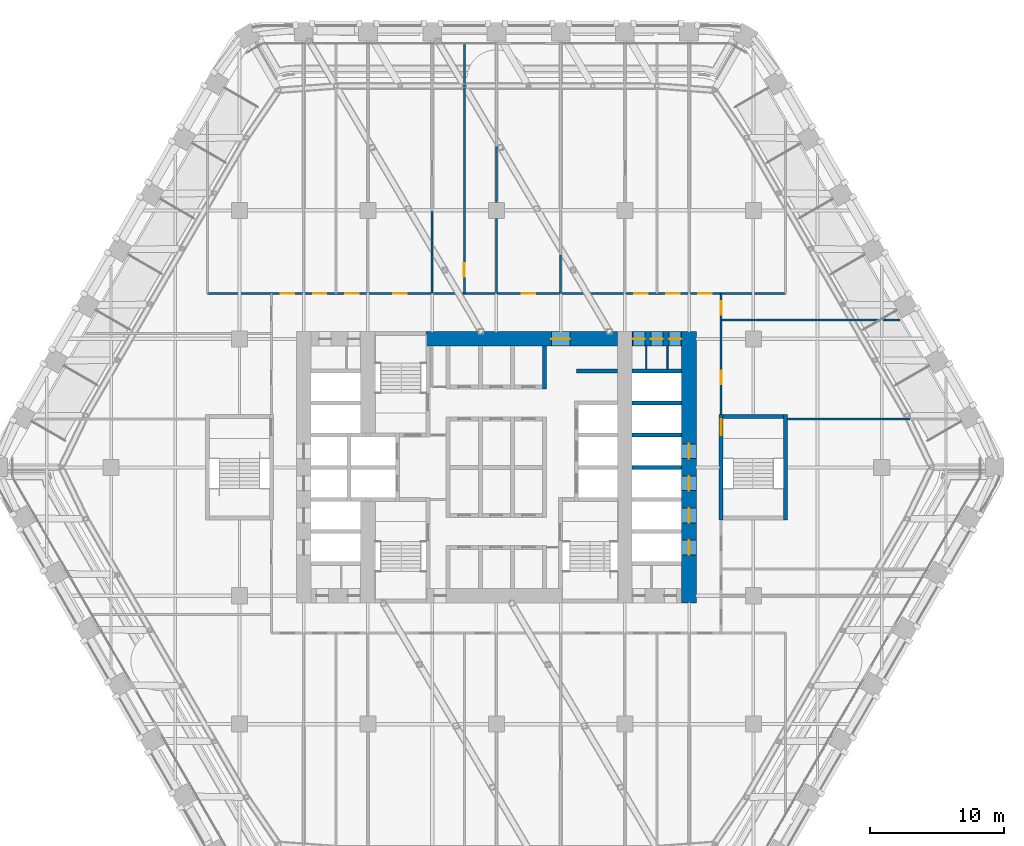
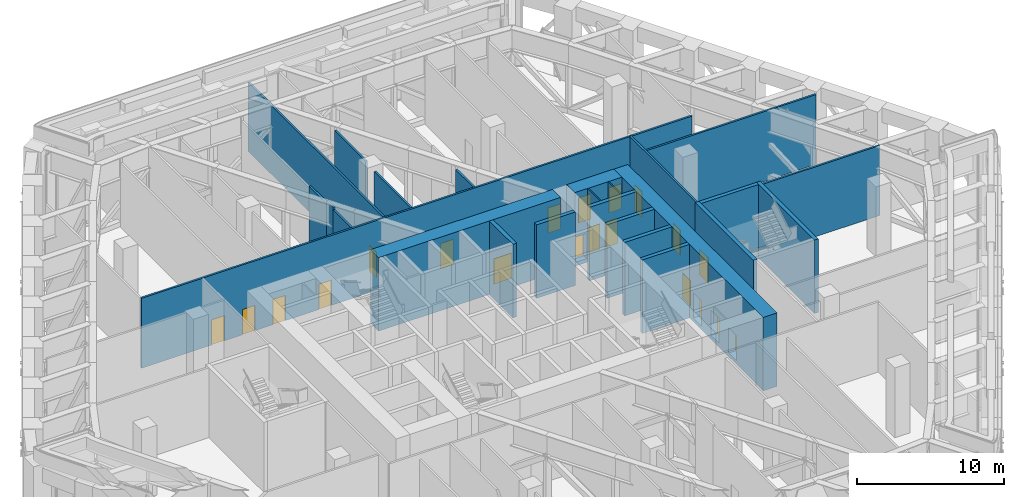
# One storey, part 22 of 35: 25 walls, 20 doors, 20 openings.
"""IFC4 building model written with IfcOpenShell, lengths in metres."""

from ifc_helpers import new_model, si_unit, direction, frame, frame_2d, origin, place, context, subcontext, project, spatial, rectangle, extrude, material, layer, layer_set, type_object, element, fill, save


model = new_model("IFC4")

# Units and contexts
model_context = context("Model", 3, precision=1e-05, world=origin(), true_north=direction((0.0, 1.0)))
body_context = subcontext(model_context, "Body", "Model", "MODEL_VIEW")
ifc_project = project(units=[si_unit("LENGTHUNIT", "METRE"), si_unit("AREAUNIT", "SQUARE_METRE"), si_unit("VOLUMEUNIT", "CUBIC_METRE"), si_unit("PLANEANGLEUNIT", "RADIAN"), si_unit("MASSUNIT", "GRAM", prefix="KILO")], contexts=[model_context])

# Site, building, storey
site_placement = place(None, origin())
site = spatial("IfcSite", under=ifc_project, at=site_placement, CompositionType="ELEMENT")
building_placement = place(site_placement, origin())
building = spatial("IfcBuilding", under=site, at=building_placement, Name="Kolab Exchange Tower", CompositionType="ELEMENT")
storey_placement = place(building_placement, frame((0.0, 0.0, 71.89990234375)))
storey = spatial("IfcBuildingStorey", under=building, at=storey_placement, Name="L13", CompositionType="ELEMENT", Elevation=71.89990234375)

# Wall, opening, door
ifc_material_1 = material(Name="Concrete C80/95", Category="concrete")
ifc_layer_1 = layer(ifc_material_1, 1.10009765625)
ifc_layer_set_1 = layer_set([ifc_layer_1], Name="Concrete C80/95")
wall_type_1 = type_object("IfcWallType", Name="CORE WALL 1100 C80/95", PredefinedType="SHEAR", material=ifc_layer_set_1)
wall_1_placement = place(storey_placement, frame((-5.25, 9.60009765625, -0.2998046875), z_axis=(0.0, 0.0, 1.0), x_axis=(1.0, 0.0, 0.0)))
wall_1 = element("IfcWall", 1, at=wall_1_placement, inside=storey, type_object=wall_type_1, Name="wall/L13/core/052", PredefinedType="SHEAR", context=body_context, shape_type="SweptSolid", body=[
    extrude(rectangle(XDim=14.300048828125, YDim=1.10009765625, at=frame_2d((7.14990234375, 0.0))), origin(), (0.0, 0.0, 1.0), 6.099853515625),
])
opening_1_placement = place(wall_1_placement, frame((9.35009765625, 0.0, 0.300048828125)))
opening_1 = element("IfcOpeningElement", 2, at=opening_1_placement, cuts=wall_1, Name="Opening D5-007", PredefinedType="OPENING", context=body_context, shape_type="SweptSolid", body=[
    extrude(rectangle(XDim=1.39990234375, YDim=2.10009765625, at=frame_2d((0.699951171875, 1.050048828125))), frame((0.0, 0.56005859375, 0.0), z_axis=(0.0, -1.0, 0.0), x_axis=(1.0, 0.0, 0.0)), (0.0, 0.0, 1.0), 1.1201171875),
])
ifc_material_2 = material(Name="Steel S235", Category="steel")
door_type_1 = type_object("IfcDoorType", Name="CORE DOOR 1400 EI 120", OperationType="DOUBLE_DOOR_SINGLE_SWING", PredefinedType="DOOR", material=ifc_material_2)
door_1_placement = place(opening_1_placement, frame((1.39990234375, 0.0, 0.0), z_axis=(0.0, 0.0, 1.0), x_axis=(-1.0, 0.0, 0.0)))
door_1 = element("IfcDoor", 3, at=door_1_placement, inside=storey, type_object=door_type_1, Name="Core lobby door", OperationType="SINGLE_SWING_LEFT", OverallHeight=2.10009765625, OverallWidth=1.39990234375, PredefinedType="DOOR", context=body_context, shape_type="SweptSolid", body=[
    extrude(rectangle(XDim=1.39990234375, YDim=2.10009765625, at=frame_2d((0.699951171875, 1.050048828125))), frame((0.0, 0.02490234375, 0.0), z_axis=(0.0, -1.0, 0.0), x_axis=(1.0, 0.0, 0.0)), (0.0, 0.0, 1.0), 0.050048828125),
])
fill(opening_1, door_1)

# Wall, openings, doors
wall_2_placement = place(storey_placement, frame((10.14990234375, 9.60009765625, -0.2998046875), z_axis=(0.0, 0.0, 1.0), x_axis=(1.0, 0.0, 0.0)))
wall_2 = element("IfcWall", 4, at=wall_2_placement, inside=storey, type_object=wall_type_1, Name="wall/L13/core/053", PredefinedType="SHEAR", context=body_context, shape_type="SweptSolid", body=[
    extrude(rectangle(XDim=3.7001953125, YDim=1.10009765625, at=frame_2d((1.85009765625, 0.0))), origin(), (0.0, 0.0, 1.0), 6.099853515625),
])
opening_2_placement = place(wall_2_placement, frame((0.050048828125, 0.0, 0.300048828125)))
opening_2 = element("IfcOpeningElement", 5, at=opening_2_placement, cuts=wall_2, Name="Opening D6-188", PredefinedType="OPENING", context=body_context, shape_type="SweptSolid", body=[
    extrude(rectangle(XDim=0.89990234375, YDim=2.10009765625, at=frame_2d((0.449951171875, 1.050048828125))), frame((0.0, 0.56005859375, 0.0), z_axis=(0.0, -1.0, 0.0), x_axis=(1.0, 0.0, 0.0)), (0.0, 0.0, 1.0), 1.1201171875),
])
opening_3_placement = place(wall_2_placement, frame((1.39990234375, 0.0, 0.300048828125)))
opening_3 = element("IfcOpeningElement", 6, at=opening_3_placement, cuts=wall_2, Name="Opening D6-189", PredefinedType="OPENING", context=body_context, shape_type="SweptSolid", body=[
    extrude(rectangle(XDim=0.89990234375, YDim=2.10009765625, at=frame_2d((0.449951171875, 1.050048828125))), frame((0.0, 0.56005859375, 0.0), z_axis=(0.0, -1.0, 0.0), x_axis=(1.0, 0.0, 0.0)), (0.0, 0.0, 1.0), 1.1201171875),
])
opening_4_placement = place(wall_2_placement, frame((2.75, 0.0, 0.300048828125)))
opening_4 = element("IfcOpeningElement", 7, at=opening_4_placement, cuts=wall_2, Name="Opening D6-190", PredefinedType="OPENING", context=body_context, shape_type="SweptSolid", body=[
    extrude(rectangle(XDim=0.89990234375, YDim=2.10009765625, at=frame_2d((0.449951171875, 1.050048828125))), frame((0.0, 0.56005859375, 0.0), z_axis=(0.0, -1.0, 0.0), x_axis=(1.0, 0.0, 0.0)), (0.0, 0.0, 1.0), 1.1201171875),
])
door_type_2 = type_object("IfcDoorType", Name="CORE DOOR 900 EI 120", OperationType="SINGLE_SWING_LEFT", PredefinedType="DOOR", material=ifc_material_2)
door_2_placement = place(opening_2_placement, frame((0.89990234375, 0.0, 0.0), z_axis=(0.0, 0.0, 1.0), x_axis=(-1.0, 0.0, 0.0)))
door_2 = element("IfcDoor", 8, at=door_2_placement, inside=storey, type_object=door_type_2, Name="Service room door", OperationType="SINGLE_SWING_RIGHT", OverallHeight=2.10009765625, OverallWidth=0.89990234375, PredefinedType="DOOR", context=body_context, shape_type="SweptSolid", body=[
    extrude(rectangle(XDim=0.89990234375, YDim=2.10009765625, at=frame_2d((0.449951171875, 1.050048828125))), frame((0.0, 0.02490234375, 0.0), z_axis=(0.0, -1.0, 0.0), x_axis=(1.0, 0.0, 0.0)), (0.0, 0.0, 1.0), 0.050048828125),
])
fill(opening_2, door_2)
door_3_placement = place(opening_3_placement, frame((0.89990234375, 0.0, 0.0), z_axis=(0.0, 0.0, 1.0), x_axis=(-1.0, 0.0, 0.0)))
door_3 = element("IfcDoor", 9, at=door_3_placement, inside=storey, type_object=door_type_2, Name="Service room door", OperationType="SINGLE_SWING_LEFT", OverallHeight=2.10009765625, OverallWidth=0.89990234375, PredefinedType="DOOR", context=body_context, shape_type="SweptSolid", body=[
    extrude(rectangle(XDim=0.89990234375, YDim=2.10009765625, at=frame_2d((0.449951171875, 1.050048828125))), frame((0.0, 0.02490234375, 0.0), z_axis=(0.0, -1.0, 0.0), x_axis=(1.0, 0.0, 0.0)), (0.0, 0.0, 1.0), 0.050048828125),
])
fill(opening_3, door_3)
door_4_placement = place(opening_4_placement, frame((0.89990234375, 0.0, 0.0), z_axis=(0.0, 0.0, 1.0), x_axis=(-1.0, 0.0, 0.0)))
door_4 = element("IfcDoor", 10, at=door_4_placement, inside=storey, type_object=door_type_2, Name="Service room door", OperationType="SINGLE_SWING_LEFT", OverallHeight=2.10009765625, OverallWidth=0.89990234375, PredefinedType="DOOR", context=body_context, shape_type="SweptSolid", body=[
    extrude(rectangle(XDim=0.89990234375, YDim=2.10009765625, at=frame_2d((0.449951171875, 1.050048828125))), frame((0.0, 0.02490234375, 0.0), z_axis=(0.0, -1.0, 0.0), x_axis=(1.0, 0.0, 0.0)), (0.0, 0.0, 1.0), 0.050048828125),
])
fill(opening_4, door_4)

wall_3_placement = place(storey_placement, frame((14.39990234375, -10.14990234375, -0.2998046875), z_axis=(0.0, 0.0, 1.0), x_axis=(0.0, 1.0, 0.0)))
wall_3 = element("IfcWall", 11, at=wall_3_placement, inside=storey, type_object=wall_type_1, Name="wall/L13/core/081", PredefinedType="SHEAR", context=body_context, shape_type="SweptSolid", body=[
    extrude(rectangle(XDim=20.2998046875, YDim=1.10009765625, at=frame_2d((10.14990234375, 0.0))), origin(), (0.0, 0.0, 1.0), 6.099853515625),
])
opening_5_placement = place(wall_3_placement, frame((3.60009765625, 0.0, 0.300048828125)))
opening_5 = element("IfcOpeningElement", 12, at=opening_5_placement, cuts=wall_3, Name="Opening LD1-061", PredefinedType="OPENING", context=body_context, shape_type="SweptSolid", body=[
    extrude(rectangle(XDim=1.10009765625, YDim=2.10009765625, at=frame_2d((0.550048828125, 1.050048828125))), frame((0.0, 0.56005859375, 0.0), z_axis=(0.0, -1.0, 0.0), x_axis=(1.0, 0.0, 0.0)), (0.0, 0.0, 1.0), 1.1201171875),
])
opening_6_placement = place(wall_3_placement, frame((6.0, 0.0, 0.300048828125)))
opening_6 = element("IfcOpeningElement", 13, at=opening_6_placement, cuts=wall_3, Name="Opening LD1-062", PredefinedType="OPENING", context=body_context, shape_type="SweptSolid", body=[
    extrude(rectangle(XDim=1.10009765625, YDim=2.10009765625, at=frame_2d((0.550048828125, 1.050048828125))), frame((0.0, 0.56005859375, 0.0), z_axis=(0.0, -1.0, 0.0), x_axis=(1.0, 0.0, 0.0)), (0.0, 0.0, 1.0), 1.1201171875),
])
opening_7_placement = place(wall_3_placement, frame((8.39990234375, 0.0, 0.300048828125)))
opening_7 = element("IfcOpeningElement", 14, at=opening_7_placement, cuts=wall_3, Name="Opening LD1-063", PredefinedType="OPENING", context=body_context, shape_type="SweptSolid", body=[
    extrude(rectangle(XDim=1.10009765625, YDim=2.10009765625, at=frame_2d((0.550048828125, 1.050048828125))), frame((0.0, 0.56005859375, 0.0), z_axis=(0.0, -1.0, 0.0), x_axis=(1.0, 0.0, 0.0)), (0.0, 0.0, 1.0), 1.1201171875),
])
opening_8_placement = place(wall_3_placement, frame((10.800048828125, 0.0, 0.300048828125)))
opening_8 = element("IfcOpeningElement", 15, at=opening_8_placement, cuts=wall_3, Name="Opening LD1-064", PredefinedType="OPENING", context=body_context, shape_type="SweptSolid", body=[
    extrude(rectangle(XDim=1.10009765625, YDim=2.10009765625, at=frame_2d((0.550048828125, 1.050048828125))), frame((0.0, 0.56005859375, 0.0), z_axis=(0.0, -1.0, 0.0), x_axis=(1.0, 0.0, 0.0)), (0.0, 0.0, 1.0), 1.1201171875),
])
ifc_material_3 = material(Name="Stainless steel 316", Category="steel")
door_type_3 = type_object("IfcDoorType", Name="LANDING DOOR 1100 PASSENGER", OperationType="DOUBLE_DOOR_SLIDING", PredefinedType="DOOR", material=ifc_material_3)
door_5_placement = place(opening_5_placement, origin())
door_5 = element("IfcDoor", 16, at=door_5_placement, inside=storey, type_object=door_type_3, Name="Landing door LR1", OperationType="DOUBLE_DOOR_SLIDING", OverallHeight=2.10009765625, OverallWidth=1.10009765625, PredefinedType="DOOR", context=body_context, shape_type="SweptSolid", body=[
    extrude(rectangle(XDim=1.10009765625, YDim=2.10009765625, at=frame_2d((0.550048828125, 1.050048828125))), frame((0.0, 0.02490234375, 0.0), z_axis=(0.0, -1.0, 0.0), x_axis=(1.0, 0.0, 0.0)), (0.0, 0.0, 1.0), 0.050048828125),
])
fill(opening_5, door_5)
door_6_placement = place(opening_6_placement, origin())
door_6 = element("IfcDoor", 17, at=door_6_placement, inside=storey, type_object=door_type_3, Name="Landing door LR2", OperationType="DOUBLE_DOOR_SLIDING", OverallHeight=2.10009765625, OverallWidth=1.10009765625, PredefinedType="DOOR", context=body_context, shape_type="SweptSolid", body=[
    extrude(rectangle(XDim=1.10009765625, YDim=2.10009765625, at=frame_2d((0.550048828125, 1.050048828125))), frame((0.0, 0.02490234375, 0.0), z_axis=(0.0, -1.0, 0.0), x_axis=(1.0, 0.0, 0.0)), (0.0, 0.0, 1.0), 0.050048828125),
])
fill(opening_6, door_6)
door_7_placement = place(opening_7_placement, origin())
door_7 = element("IfcDoor", 18, at=door_7_placement, inside=storey, type_object=door_type_3, Name="Landing door LR3", OperationType="DOUBLE_DOOR_SLIDING", OverallHeight=2.10009765625, OverallWidth=1.10009765625, PredefinedType="DOOR", context=body_context, shape_type="SweptSolid", body=[
    extrude(rectangle(XDim=1.10009765625, YDim=2.10009765625, at=frame_2d((0.550048828125, 1.050048828125))), frame((0.0, 0.02490234375, 0.0), z_axis=(0.0, -1.0, 0.0), x_axis=(1.0, 0.0, 0.0)), (0.0, 0.0, 1.0), 0.050048828125),
])
fill(opening_7, door_7)
door_8_placement = place(opening_8_placement, origin())
door_8 = element("IfcDoor", 19, at=door_8_placement, inside=storey, type_object=door_type_3, Name="Landing door LR4", OperationType="DOUBLE_DOOR_SLIDING", OverallHeight=2.10009765625, OverallWidth=1.10009765625, PredefinedType="DOOR", context=body_context, shape_type="SweptSolid", body=[
    extrude(rectangle(XDim=1.10009765625, YDim=2.10009765625, at=frame_2d((0.550048828125, 1.050048828125))), frame((0.0, 0.02490234375, 0.0), z_axis=(0.0, -1.0, 0.0), x_axis=(1.0, 0.0, 0.0)), (0.0, 0.0, 1.0), 0.050048828125),
])
fill(opening_8, door_8)

# Walls
ifc_material_4 = material(Name="Concrete C50/60", Category="concrete")
ifc_layer_2 = layer(ifc_material_4, 0.300048828125)
ifc_layer_set_2 = layer_set([ifc_layer_2], Name="Concrete C50/60")
wall_type_2 = type_object("IfcWallType", Name="LIFT SHAFT WALL 300 C50/60", PredefinedType="STANDARD", material=ifc_layer_set_2)
for number, where, z_axis, x_axis, name in (
    (20, (10.14990234375, 0.0, -0.2998046875), (0.0, 0.0, 1.0), (1.0, 0.0, 0.0), "wall/L13/core/030"),
    (21, (10.14990234375, 2.39990234375, -0.2998046875), (0.0, 0.0, 1.0), (1.0, 0.0, 0.0), "wall/L13/core/036"),
    (22, (10.14990234375, 4.800048828125, -0.2998046875), (0.0, 0.0, 1.0), (1.0, 0.0, 0.0), "wall/L13/core/044"),
):
    element("IfcWall", number, at=place(storey_placement, frame(where, z_axis=z_axis, x_axis=x_axis)), inside=storey, type_object=wall_type_2, Name=name, PredefinedType="STANDARD", context=body_context, shape_type="SweptSolid", body=[
        extrude(rectangle(XDim=3.7001953125, YDim=0.300048828125, at=frame_2d((1.85009765625, 0.0))), origin(), (0.0, 0.0, 1.0), 6.099853515625),
    ])
wall_4_placement = place(storey_placement, frame((6.0, 7.199951171875, -0.2998046875), z_axis=(0.0, 0.0, 1.0), x_axis=(1.0, 0.0, 0.0)))
element("IfcWall", 23, at=wall_4_placement, inside=storey, type_object=wall_type_2, Name="wall/L13/core/049", PredefinedType="STANDARD", context=body_context, shape_type="SweptSolid", body=[
    extrude(rectangle(XDim=3.050048828125, YDim=0.300048828125, at=frame_2d((1.52490234375, 0.0))), origin(), (0.0, 0.0, 1.0), 6.099853515625),
])
wall_5_placement = place(storey_placement, frame((10.14990234375, 7.199951171875, -0.2998046875), z_axis=(0.0, 0.0, 1.0), x_axis=(1.0, 0.0, 0.0)))
element("IfcWall", 24, at=wall_5_placement, inside=storey, type_object=wall_type_2, Name="wall/L13/core/050", PredefinedType="STANDARD", context=body_context, shape_type="SweptSolid", body=[
    extrude(rectangle(XDim=3.7001953125, YDim=0.300048828125, at=frame_2d((1.85009765625, 0.0))), origin(), (0.0, 0.0, 1.0), 6.099853515625),
])
wall_6_placement = place(storey_placement, frame((3.60009765625, 5.85009765625, -0.2998046875), z_axis=(0.0, 0.0, 1.0), x_axis=(0.0, 1.0, 0.0)))
element("IfcWall", 25, at=wall_6_placement, inside=storey, type_object=wall_type_2, Name="wall/L13/core/077", PredefinedType="STANDARD", context=body_context, shape_type="SweptSolid", body=[
    extrude(rectangle(XDim=3.199951171875, YDim=0.300048828125, at=frame_2d((1.60009765625, 0.0))), origin(), (0.0, 0.0, 1.0), 6.099853515625),
])
ifc_material_5 = material(Name="Gypsum board", Category="gypsum")
ifc_layer_3 = layer(ifc_material_5, 0.10009765625)
ifc_layer_set_3 = layer_set([ifc_layer_3], Name="Gypsum board")
wall_type_3 = type_object("IfcWallType", Name="PARTITION 100", PredefinedType="PARTITIONING", material=ifc_layer_set_3)
for number, where, z_axis, x_axis, name in (
    (26, (12.800048828125, 7.35009765625, 0.0), (0.0, 0.0, 1.0), (0.0, 1.0, 0.0), "Partition 006"),
    (27, (11.199951171875, 7.35009765625, 0.0), (0.0, 0.0, 1.0), (0.0, 1.0, 0.0), "Partition 010"),
):
    element("IfcWall", number, at=place(storey_placement, frame(where, z_axis=z_axis, x_axis=x_axis)), inside=storey, type_object=wall_type_3, Name=name, PredefinedType="PARTITIONING", context=body_context, shape_type="SweptSolid", body=[
        extrude(rectangle(XDim=1.699951171875, YDim=0.10009765625, at=frame_2d((0.85009765625, 0.0))), origin(), (0.0, 0.0, 1.0), 5.800048828125),
    ])

# Wall, openings, doors
ifc_layer_4 = layer(ifc_material_5, 0.14990234375)
ifc_layer_set_4 = layer_set([ifc_layer_4], Name="Gypsum board")
wall_type_4 = type_object("IfcWallType", Name="PARTITION 150 FIRE-RATED", PredefinedType="PARTITIONING", material=ifc_layer_set_4)
wall_7_placement = place(storey_placement, frame((16.800048828125, 3.949951171875, 0.0), z_axis=(0.0, 0.0, 1.0), x_axis=(0.0, 1.0, 0.0)))
wall_7 = element("IfcWall", 28, at=wall_7_placement, inside=storey, type_object=wall_type_4, Name="Partition 003", PredefinedType="PARTITIONING", context=body_context, shape_type="SweptSolid", body=[
    extrude(rectangle(XDim=9.050048828125, YDim=0.14990234375, at=frame_2d((4.52490234375, 0.0))), origin(), (0.0, 0.0, 1.0), 5.800048828125),
])
opening_9_placement = place(wall_7_placement, frame((2.25, 0.0, 0.0)))
opening_9 = element("IfcOpeningElement", 29, at=opening_9_placement, cuts=wall_7, Name="Opening D1-195", PredefinedType="OPENING", context=body_context, shape_type="SweptSolid", body=[
    extrude(rectangle(XDim=1.0, YDim=2.10009765625, at=frame_2d((0.5, 1.050048828125))), frame((0.0, 0.0849609375, 0.0), z_axis=(0.0, -1.0, 0.0), x_axis=(1.0, 0.0, 0.0)), (0.0, 0.0, 1.0), 0.169921875),
])
opening_10_placement = place(wall_7_placement, frame((7.449951171875, 0.0, 0.0)))
opening_10 = element("IfcOpeningElement", 30, at=opening_10_placement, cuts=wall_7, Name="Opening D1-196", PredefinedType="OPENING", context=body_context, shape_type="SweptSolid", body=[
    extrude(rectangle(XDim=1.0, YDim=2.10009765625, at=frame_2d((0.5, 1.050048828125))), frame((0.0, 0.0849609375, 0.0), z_axis=(0.0, -1.0, 0.0), x_axis=(1.0, 0.0, 0.0)), (0.0, 0.0, 1.0), 0.169921875),
])
door_type_4 = type_object("IfcDoorType", Name="FLUSH DOOR 1000 FD60", OperationType="SINGLE_SWING_LEFT", PredefinedType="DOOR", material=ifc_material_2)
door_9_placement = place(opening_9_placement, frame((1.0, 0.0, 0.0), z_axis=(0.0, 0.0, 1.0), x_axis=(-1.0, 0.0, 0.0)))
door_9 = element("IfcDoor", 31, at=door_9_placement, inside=storey, type_object=door_type_4, Name="Door L13-074", OperationType="SINGLE_SWING_LEFT", OverallHeight=2.10009765625, OverallWidth=1.0, PredefinedType="DOOR", context=body_context, shape_type="SweptSolid", body=[
    extrude(rectangle(XDim=1.0, YDim=2.10009765625, at=frame_2d((0.5, 1.050048828125))), frame((0.0, 0.02490234375, 0.0), z_axis=(0.0, -1.0, 0.0), x_axis=(1.0, 0.0, 0.0)), (0.0, 0.0, 1.0), 0.050048828125),
])
fill(opening_9, door_9)
door_10_placement = place(opening_10_placement, frame((1.0, 0.0, 0.0), z_axis=(0.0, 0.0, 1.0), x_axis=(-1.0, 0.0, 0.0)))
door_10 = element("IfcDoor", 32, at=door_10_placement, inside=storey, type_object=door_type_4, Name="Door L13-075", OperationType="SINGLE_SWING_LEFT", OverallHeight=2.10009765625, OverallWidth=1.0, PredefinedType="DOOR", context=body_context, shape_type="SweptSolid", body=[
    extrude(rectangle(XDim=1.0, YDim=2.10009765625, at=frame_2d((0.5, 1.050048828125))), frame((0.0, 0.02490234375, 0.0), z_axis=(0.0, -1.0, 0.0), x_axis=(1.0, 0.0, 0.0)), (0.0, 0.0, 1.0), 0.050048828125),
])
fill(opening_10, door_10)

# Walls
wall_8_placement = place(storey_placement, frame((4.800048828125, 13.0, 0.0), z_axis=(0.0, 0.0, 1.0), x_axis=(0.0, 1.0, 0.0)))
element("IfcWall", 33, at=wall_8_placement, inside=storey, type_object=wall_type_4, Name="Partition 016", PredefinedType="PARTITIONING", context=body_context, shape_type="SweptSolid", body=[
    extrude(rectangle(XDim=2.876708984375, YDim=0.14990234375, at=frame_2d((1.4384765625, 0.0))), origin(), (0.0, 0.0, 1.0), 5.489990234375),
])
wall_9_placement = place(storey_placement, frame((0.0, 13.0, 0.0), z_axis=(0.0, 0.0, 1.0), x_axis=(0.0, 1.0, 0.0)))
element("IfcWall", 34, at=wall_9_placement, inside=storey, type_object=wall_type_4, Name="Partition 019", PredefinedType="PARTITIONING", context=body_context, shape_type="SweptSolid", body=[
    extrude(rectangle(XDim=5.60009765625, YDim=0.14990234375, at=frame_2d((2.800048828125, 0.0))), origin(), (0.0, 0.0, 1.0), 5.343017578125),
])
wall_10_placement = place(storey_placement, frame((0.0, 19.800048828125, 0.0), z_axis=(0.0, 0.0, 1.0), x_axis=(0.0, 1.0, 0.0)))
element("IfcWall", 35, at=wall_10_placement, inside=storey, type_object=wall_type_4, Name="Partition 020", PredefinedType="PARTITIONING", context=body_context, shape_type="SweptSolid", body=[
    extrude(rectangle(XDim=4.1904296875, YDim=0.14990234375, at=frame_2d((2.09521484375, 0.0))), origin(), (0.0, 0.0, 1.0), 5.489990234375),
])

# Wall, opening, door
wall_11_placement = place(storey_placement, frame((-2.39990234375, 13.0, 0.0), z_axis=(0.0, 0.0, 1.0), x_axis=(0.0, 1.0, 0.0)))
wall_11 = element("IfcWall", 36, at=wall_11_placement, inside=storey, type_object=wall_type_4, Name="Partition 022", PredefinedType="PARTITIONING", context=body_context, shape_type="SweptSolid", body=[
    extrude(rectangle(XDim=18.58544921875, YDim=0.14990234375, at=frame_2d((9.292724609375, 0.0))), origin(), (0.0, 0.0, 1.0), 5.7001953125),
])
opening_11_placement = place(wall_11_placement, frame((1.247802734375, 0.0, 0.0)))
opening_11 = element("IfcOpeningElement", 37, at=opening_11_placement, cuts=wall_11, Name="Opening D1-176", PredefinedType="OPENING", context=body_context, shape_type="SweptSolid", body=[
    extrude(rectangle(XDim=1.0, YDim=2.10009765625, at=frame_2d((0.5, 1.050048828125))), frame((0.0, 0.0849609375, 0.0), z_axis=(0.0, -1.0, 0.0), x_axis=(1.0, 0.0, 0.0)), (0.0, 0.0, 1.0), 0.169921875),
])
door_11_placement = place(opening_11_placement, frame((1.0, 0.0, 0.0), z_axis=(0.0, 0.0, 1.0), x_axis=(-1.0, 0.0, 0.0)))
door_11 = element("IfcDoor", 38, at=door_11_placement, inside=storey, type_object=door_type_4, Name="Door L13-055", OperationType="SINGLE_SWING_LEFT", OverallHeight=2.10009765625, OverallWidth=1.0, PredefinedType="DOOR", context=body_context, shape_type="SweptSolid", body=[
    extrude(rectangle(XDim=1.0, YDim=2.10009765625, at=frame_2d((0.5, 1.050048828125))), frame((0.0, 0.02490234375, 0.0), z_axis=(0.0, -1.0, 0.0), x_axis=(1.0, 0.0, 0.0)), (0.0, 0.0, 1.0), 0.050048828125),
])
fill(opening_11, door_11)

# Walls
wall_12_placement = place(storey_placement, frame((-4.800048828125, 13.0, 0.0), z_axis=(0.0, 0.0, 1.0), x_axis=(0.0, 1.0, 0.0)))
element("IfcWall", 39, at=wall_12_placement, inside=storey, type_object=wall_type_4, Name="Partition 024", PredefinedType="PARTITIONING", context=body_context, shape_type="SweptSolid", body=[
    extrude(rectangle(XDim=2.876708984375, YDim=0.14990234375, at=frame_2d((1.4384765625, 0.0))), origin(), (0.0, 0.0, 1.0), 5.489990234375),
])
wall_13_placement = place(storey_placement, frame((-4.800048828125, 15.876708984375, 0.0), z_axis=(0.0, 0.0, 1.0), x_axis=(0.0, 1.0, 0.0)))
element("IfcWall", 40, at=wall_13_placement, inside=storey, type_object=wall_type_4, Name="Partition 024", PredefinedType="PARTITIONING", context=body_context, shape_type="SweptSolid", body=[
    extrude(rectangle(XDim=0.902099609375, YDim=0.14990234375, at=frame_2d((0.451171875, 0.0))), origin(), (0.0, 0.0, 1.0), 5.7001953125),
])
wall_14_placement = place(storey_placement, frame((-4.800048828125, 16.77880859375, 0.0), z_axis=(0.0, 0.0, 1.0), x_axis=(0.0, 1.0, 0.0)))
element("IfcWall", 41, at=wall_14_placement, inside=storey, type_object=wall_type_4, Name="Partition 024", PredefinedType="PARTITIONING", context=body_context, shape_type="SweptSolid", body=[
    extrude(rectangle(XDim=2.34716796875, YDim=0.14990234375, at=frame_2d((1.173583984375, 0.0))), origin(), (0.0, 0.0, 1.0), 5.489990234375),
])
wall_15_placement = place(storey_placement, frame((21.75, 3.60009765625, 0.0), z_axis=(0.0, 0.0, 1.0), x_axis=(1.0, 0.0, 0.0)))
element("IfcWall", 42, at=wall_15_placement, inside=storey, type_object=wall_type_4, Name="Partition 045", PredefinedType="PARTITIONING", context=body_context, shape_type="SweptSolid", body=[
    extrude(rectangle(XDim=9.177734375, YDim=0.14990234375, at=frame_2d((4.5888671875, 0.0))), origin(), (0.0, 0.0, 1.0), 5.800048828125),
])
wall_16_placement = place(storey_placement, frame((16.800048828125, 11.0, 0.0), z_axis=(0.0, 0.0, 1.0), x_axis=(1.0, 0.0, 0.0)))
element("IfcWall", 43, at=wall_16_placement, inside=storey, type_object=wall_type_4, Name="Partition 049", PredefinedType="PARTITIONING", context=body_context, shape_type="SweptSolid", body=[
    extrude(rectangle(XDim=13.37841796875, YDim=0.14990234375, at=frame_2d((6.689208984375, 0.0))), origin(), (0.0, 0.0, 1.0), 5.800048828125),
])

# Wall, openings, doors
wall_17_placement = place(storey_placement, frame((-21.60009765625, 13.0, 0.0), z_axis=(0.0, 0.0, 1.0), x_axis=(1.0, 0.0, 0.0)))
wall_17 = element("IfcWall", 44, at=wall_17_placement, inside=storey, type_object=wall_type_4, Name="Partition 050", PredefinedType="PARTITIONING", context=body_context, shape_type="SweptSolid", body=[
    extrude(rectangle(XDim=43.2001953125, YDim=0.14990234375, at=frame_2d((21.60009765625, 0.0))), origin(), (0.0, 0.0, 1.0), 5.800048828125),
])
opening_12_placement = place(wall_17_placement, frame((5.5, 0.0, 0.0)))
opening_12 = element("IfcOpeningElement", 45, at=opening_12_placement, cuts=wall_17, Name="Opening D1-171", PredefinedType="OPENING", context=body_context, shape_type="SweptSolid", body=[
    extrude(rectangle(XDim=1.0, YDim=2.10009765625, at=frame_2d((0.5, 1.050048828125))), frame((0.0, 0.0849609375, 0.0), z_axis=(0.0, -1.0, 0.0), x_axis=(1.0, 0.0, 0.0)), (0.0, 0.0, 1.0), 0.169921875),
])
opening_13_placement = place(wall_17_placement, frame((7.89990234375, 0.0, 0.0)))
opening_13 = element("IfcOpeningElement", 46, at=opening_13_placement, cuts=wall_17, Name="Opening D1-172", PredefinedType="OPENING", context=body_context, shape_type="SweptSolid", body=[
    extrude(rectangle(XDim=1.0, YDim=2.10009765625, at=frame_2d((0.5, 1.050048828125))), frame((0.0, 0.0849609375, 0.0), z_axis=(0.0, -1.0, 0.0), x_axis=(1.0, 0.0, 0.0)), (0.0, 0.0, 1.0), 0.169921875),
])
opening_14_placement = place(wall_17_placement, frame((10.300048828125, 0.0, 0.0)))
opening_14 = element("IfcOpeningElement", 47, at=opening_14_placement, cuts=wall_17, Name="Opening D1-173", PredefinedType="OPENING", context=body_context, shape_type="SweptSolid", body=[
    extrude(rectangle(XDim=1.0, YDim=2.10009765625, at=frame_2d((0.5, 1.050048828125))), frame((0.0, 0.0849609375, 0.0), z_axis=(0.0, -1.0, 0.0), x_axis=(1.0, 0.0, 0.0)), (0.0, 0.0, 1.0), 0.169921875),
])
opening_15_placement = place(wall_17_placement, frame((13.89990234375, 0.0, 0.0)))
opening_15 = element("IfcOpeningElement", 48, at=opening_15_placement, cuts=wall_17, Name="Opening D1-174", PredefinedType="OPENING", context=body_context, shape_type="SweptSolid", body=[
    extrude(rectangle(XDim=1.0, YDim=2.10009765625, at=frame_2d((0.5, 1.050048828125))), frame((0.0, 0.0849609375, 0.0), z_axis=(0.0, -1.0, 0.0), x_axis=(1.0, 0.0, 0.0)), (0.0, 0.0, 1.0), 0.169921875),
])
opening_16_placement = place(wall_17_placement, frame((23.5, 0.0, 0.0)))
opening_16 = element("IfcOpeningElement", 49, at=opening_16_placement, cuts=wall_17, Name="Opening D1-177", PredefinedType="OPENING", context=body_context, shape_type="SweptSolid", body=[
    extrude(rectangle(XDim=1.0, YDim=2.10009765625, at=frame_2d((0.5, 1.050048828125))), frame((0.0, 0.0849609375, 0.0), z_axis=(0.0, -1.0, 0.0), x_axis=(1.0, 0.0, 0.0)), (0.0, 0.0, 1.0), 0.169921875),
])
opening_17_placement = place(wall_17_placement, frame((31.89990234375, 0.0, 0.0)))
opening_17 = element("IfcOpeningElement", 50, at=opening_17_placement, cuts=wall_17, Name="Opening D1-179", PredefinedType="OPENING", context=body_context, shape_type="SweptSolid", body=[
    extrude(rectangle(XDim=1.0, YDim=2.10009765625, at=frame_2d((0.5, 1.050048828125))), frame((0.0, 0.0849609375, 0.0), z_axis=(0.0, -1.0, 0.0), x_axis=(1.0, 0.0, 0.0)), (0.0, 0.0, 1.0), 0.169921875),
])
opening_18_placement = place(wall_17_placement, frame((34.300048828125, 0.0, 0.0)))
opening_18 = element("IfcOpeningElement", 51, at=opening_18_placement, cuts=wall_17, Name="Opening D1-180", PredefinedType="OPENING", context=body_context, shape_type="SweptSolid", body=[
    extrude(rectangle(XDim=1.0, YDim=2.10009765625, at=frame_2d((0.5, 1.050048828125))), frame((0.0, 0.0849609375, 0.0), z_axis=(0.0, -1.0, 0.0), x_axis=(1.0, 0.0, 0.0)), (0.0, 0.0, 1.0), 0.169921875),
])
opening_19_placement = place(wall_17_placement, frame((36.699951171875, 0.0, 0.0)))
opening_19 = element("IfcOpeningElement", 52, at=opening_19_placement, cuts=wall_17, Name="Opening D1-181", PredefinedType="OPENING", context=body_context, shape_type="SweptSolid", body=[
    extrude(rectangle(XDim=1.0, YDim=2.10009765625, at=frame_2d((0.5, 1.050048828125))), frame((0.0, 0.0849609375, 0.0), z_axis=(0.0, -1.0, 0.0), x_axis=(1.0, 0.0, 0.0)), (0.0, 0.0, 1.0), 0.169921875),
])
door_12_placement = place(opening_12_placement, origin())
door_12 = element("IfcDoor", 53, at=door_12_placement, inside=storey, type_object=door_type_4, Name="Door L13-050", OperationType="SINGLE_SWING_RIGHT", OverallHeight=2.10009765625, OverallWidth=1.0, PredefinedType="DOOR", context=body_context, shape_type="SweptSolid", body=[
    extrude(rectangle(XDim=1.0, YDim=2.10009765625, at=frame_2d((0.5, 1.050048828125))), frame((0.0, 0.02490234375, 0.0), z_axis=(0.0, -1.0, 0.0), x_axis=(1.0, 0.0, 0.0)), (0.0, 0.0, 1.0), 0.050048828125),
])
fill(opening_12, door_12)
door_13_placement = place(opening_13_placement, origin())
door_13 = element("IfcDoor", 54, at=door_13_placement, inside=storey, type_object=door_type_4, Name="Door L13-051", OperationType="SINGLE_SWING_LEFT", OverallHeight=2.10009765625, OverallWidth=1.0, PredefinedType="DOOR", context=body_context, shape_type="SweptSolid", body=[
    extrude(rectangle(XDim=1.0, YDim=2.10009765625, at=frame_2d((0.5, 1.050048828125))), frame((0.0, 0.02490234375, 0.0), z_axis=(0.0, -1.0, 0.0), x_axis=(1.0, 0.0, 0.0)), (0.0, 0.0, 1.0), 0.050048828125),
])
fill(opening_13, door_13)
door_14_placement = place(opening_14_placement, origin())
door_14 = element("IfcDoor", 55, at=door_14_placement, inside=storey, type_object=door_type_4, Name="Door L13-052", OperationType="SINGLE_SWING_LEFT", OverallHeight=2.10009765625, OverallWidth=1.0, PredefinedType="DOOR", context=body_context, shape_type="SweptSolid", body=[
    extrude(rectangle(XDim=1.0, YDim=2.10009765625, at=frame_2d((0.5, 1.050048828125))), frame((0.0, 0.02490234375, 0.0), z_axis=(0.0, -1.0, 0.0), x_axis=(1.0, 0.0, 0.0)), (0.0, 0.0, 1.0), 0.050048828125),
])
fill(opening_14, door_14)
door_15_placement = place(opening_15_placement, origin())
door_15 = element("IfcDoor", 56, at=door_15_placement, inside=storey, type_object=door_type_4, Name="Door L13-053", OperationType="SINGLE_SWING_LEFT", OverallHeight=2.10009765625, OverallWidth=1.0, PredefinedType="DOOR", context=body_context, shape_type="SweptSolid", body=[
    extrude(rectangle(XDim=1.0, YDim=2.10009765625, at=frame_2d((0.5, 1.050048828125))), frame((0.0, 0.02490234375, 0.0), z_axis=(0.0, -1.0, 0.0), x_axis=(1.0, 0.0, 0.0)), (0.0, 0.0, 1.0), 0.050048828125),
])
fill(opening_15, door_15)
door_16_placement = place(opening_16_placement, origin())
door_16 = element("IfcDoor", 57, at=door_16_placement, inside=storey, type_object=door_type_4, Name="Door L13-056", OperationType="SINGLE_SWING_LEFT", OverallHeight=2.10009765625, OverallWidth=1.0, PredefinedType="DOOR", context=body_context, shape_type="SweptSolid", body=[
    extrude(rectangle(XDim=1.0, YDim=2.10009765625, at=frame_2d((0.5, 1.050048828125))), frame((0.0, 0.02490234375, 0.0), z_axis=(0.0, -1.0, 0.0), x_axis=(1.0, 0.0, 0.0)), (0.0, 0.0, 1.0), 0.050048828125),
])
fill(opening_16, door_16)
door_17_placement = place(opening_17_placement, origin())
door_17 = element("IfcDoor", 58, at=door_17_placement, inside=storey, type_object=door_type_4, Name="Door L13-058", OperationType="SINGLE_SWING_LEFT", OverallHeight=2.10009765625, OverallWidth=1.0, PredefinedType="DOOR", context=body_context, shape_type="SweptSolid", body=[
    extrude(rectangle(XDim=1.0, YDim=2.10009765625, at=frame_2d((0.5, 1.050048828125))), frame((0.0, 0.02490234375, 0.0), z_axis=(0.0, -1.0, 0.0), x_axis=(1.0, 0.0, 0.0)), (0.0, 0.0, 1.0), 0.050048828125),
])
fill(opening_17, door_17)
door_18_placement = place(opening_18_placement, origin())
door_18 = element("IfcDoor", 59, at=door_18_placement, inside=storey, type_object=door_type_4, Name="Door L13-059", OperationType="SINGLE_SWING_LEFT", OverallHeight=2.10009765625, OverallWidth=1.0, PredefinedType="DOOR", context=body_context, shape_type="SweptSolid", body=[
    extrude(rectangle(XDim=1.0, YDim=2.10009765625, at=frame_2d((0.5, 1.050048828125))), frame((0.0, 0.02490234375, 0.0), z_axis=(0.0, -1.0, 0.0), x_axis=(1.0, 0.0, 0.0)), (0.0, 0.0, 1.0), 0.050048828125),
])
fill(opening_18, door_18)
door_19_placement = place(opening_19_placement, origin())
door_19 = element("IfcDoor", 60, at=door_19_placement, inside=storey, type_object=door_type_4, Name="Door L13-060", OperationType="SINGLE_SWING_LEFT", OverallHeight=2.10009765625, OverallWidth=1.0, PredefinedType="DOOR", context=body_context, shape_type="SweptSolid", body=[
    extrude(rectangle(XDim=1.0, YDim=2.10009765625, at=frame_2d((0.5, 1.050048828125))), frame((0.0, 0.02490234375, 0.0), z_axis=(0.0, -1.0, 0.0), x_axis=(1.0, 0.0, 0.0)), (0.0, 0.0, 1.0), 0.050048828125),
])
fill(opening_19, door_19)

# Wall
ifc_layer_5 = layer(ifc_material_4, 0.300048828125)
ifc_layer_set_5 = layer_set([ifc_layer_5], Name="Concrete C50/60")
wall_type_5 = type_object("IfcWallType", Name="STAIR ENCLOSURE WALL 300 C50/60", PredefinedType="STANDARD", material=ifc_layer_set_5)
wall_18_placement = place(storey_placement, frame((16.949951171875, 3.800048828125, -0.2998046875), z_axis=(0.0, 0.0, 1.0), x_axis=(1.0, 0.0, 0.0)))
element("IfcWall", 61, at=wall_18_placement, inside=storey, type_object=wall_type_5, Name="wall/L13/core/041", PredefinedType="STANDARD", context=body_context, shape_type="SweptSolid", body=[
    extrude(rectangle(XDim=4.5, YDim=0.300048828125, at=frame_2d((2.25, 0.0))), origin(), (0.0, 0.0, 1.0), 6.099853515625),
])

# Wall, opening, door
wall_19_placement = place(storey_placement, frame((16.800048828125, -3.949951171875, -0.2998046875), z_axis=(0.0, 0.0, 1.0), x_axis=(0.0, 1.0, 0.0)))
wall_19 = element("IfcWall", 62, at=wall_19_placement, inside=storey, type_object=wall_type_5, Name="wall/L13/core/082", PredefinedType="STANDARD", context=body_context, shape_type="SweptSolid", body=[
    extrude(rectangle(XDim=7.89990234375, YDim=0.300048828125, at=frame_2d((3.949951171875, 0.0))), origin(), (0.0, 0.0, 1.0), 6.099853515625),
])
opening_20_placement = place(wall_19_placement, frame((6.35009765625, 0.0, 0.300048828125)))
opening_20 = element("IfcOpeningElement", 63, at=opening_20_placement, cuts=wall_19, Name="Opening D4-041", PredefinedType="OPENING", context=body_context, shape_type="SweptSolid", body=[
    extrude(rectangle(XDim=1.199951171875, YDim=2.10009765625, at=frame_2d((0.60009765625, 1.050048828125))), frame((0.0, 0.16015625, 0.0), z_axis=(0.0, -1.0, 0.0), x_axis=(1.0, 0.0, 0.0)), (0.0, 0.0, 1.0), 0.320068359375),
])
door_type_5 = type_object("IfcDoorType", Name="STAIR DOOR 1200 EI 120", OperationType="SINGLE_SWING_LEFT", PredefinedType="DOOR", material=ifc_material_2)
door_20_placement = place(opening_20_placement, frame((1.199951171875, 0.0, 0.0), z_axis=(0.0, 0.0, 1.0), x_axis=(-1.0, 0.0, 0.0)))
door_20 = element("IfcDoor", 64, at=door_20_placement, inside=storey, type_object=door_type_5, Name="Stair 4 door", OperationType="SINGLE_SWING_RIGHT", OverallHeight=2.10009765625, OverallWidth=1.199951171875, PredefinedType="DOOR", context=body_context, shape_type="SweptSolid", body=[
    extrude(rectangle(XDim=1.199951171875, YDim=2.10009765625, at=frame_2d((0.60009765625, 1.050048828125))), frame((0.0, 0.02490234375, 0.0), z_axis=(0.0, -1.0, 0.0), x_axis=(1.0, 0.0, 0.0)), (0.0, 0.0, 1.0), 0.050048828125),
])
fill(opening_20, door_20)

# Wall
wall_20_placement = place(storey_placement, frame((21.60009765625, -3.949951171875, -0.2998046875), z_axis=(0.0, 0.0, 1.0), x_axis=(0.0, 1.0, 0.0)))
element("IfcWall", 65, at=wall_20_placement, inside=storey, type_object=wall_type_5, Name="wall/L13/core/083", PredefinedType="STANDARD", context=body_context, shape_type="SweptSolid", body=[
    extrude(rectangle(XDim=7.89990234375, YDim=0.300048828125, at=frame_2d((3.949951171875, 0.0))), origin(), (0.0, 0.0, 1.0), 6.099853515625),
])

save(model, "model.ifc")
